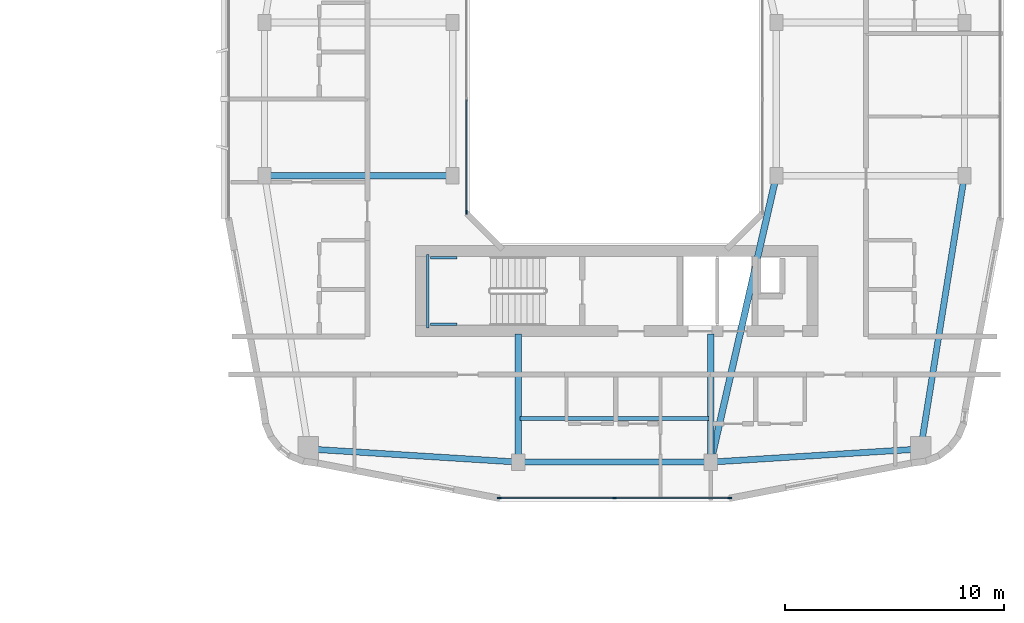
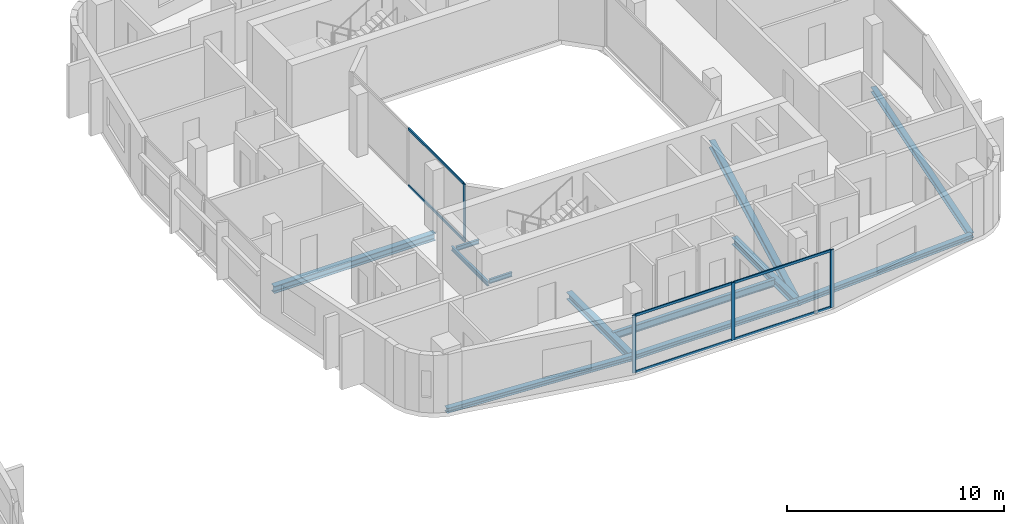
# One storey, part 8 of 25: 12 beams, 10 members, 2 elements without a shape of their own.
"""IFC4 building model written with IfcOpenShell, lengths in metres."""

from ifc_helpers import new_model, si_unit, derived_unit, direction, frame, origin, origin_2d, place, context, subcontext, project, spatial, rectangle, i_section, extrude, material, layer, layer_set, material_profile, profile_set, type_object, element, aggregate, save


model = new_model("IFC4")

# Units and contexts
model_context = context("Model", 3, precision=1e-05, world=origin(), true_north=direction((0.0, 1.0)))
body_context = subcontext(model_context, "Body", "Model", "MODEL_VIEW")
ifc_project = project(units=[si_unit("LENGTHUNIT", "METRE"), si_unit("AREAUNIT", "SQUARE_METRE"), si_unit("VOLUMEUNIT", "CUBIC_METRE"), si_unit("PLANEANGLEUNIT", "RADIAN"), si_unit("MASSUNIT", "GRAM", prefix="KILO"), derived_unit("THERMALTRANSMITTANCEUNIT", [(si_unit("POWERUNIT", "WATT"), 1), (si_unit("LENGTHUNIT", "METRE"), -2), (si_unit("THERMODYNAMICTEMPERATUREUNIT", "KELVIN"), -1)])], contexts=[model_context])

# Site, building, storey
site_placement = place(None, origin())
site = spatial("IfcSite", under=ifc_project, at=site_placement, CompositionType="ELEMENT")
building_placement = place(site_placement, origin())
building = spatial("IfcBuilding", under=site, at=building_placement, Name="Kivonza Crest Hotel", CompositionType="ELEMENT")
storey_placement = place(building_placement, frame((0.0, 0.0, 83.5)))
storey = spatial("IfcBuildingStorey", under=building, at=storey_placement, Name="L22", CompositionType="ELEMENT", Elevation=83.5)

# Beams
ifc_material_1 = material(Name="Steel S355", Category="steel")
ifc_material_profile_1 = material_profile(ifc_material_1, i_section(OverallWidth=0.280029296875, OverallDepth=0.280029296875, WebThickness=0.010498046875, FlangeThickness=0.01806640625, FilletRadius=0.02392578125, at=origin_2d()), Name="HEB 280")
ifc_profile_set_1 = profile_set([ifc_material_profile_1], Name="Steel S355")
beam_type_1 = type_object("IfcBeamType", Name="BM-HEB280", PredefinedType="SPANDREL", material=ifc_profile_set_1)
beam_1_placement = place(storey_placement, frame((72.60009765625, 8.39990234375, -0.389892578125), z_axis=(1.0, 0.0, 0.0), x_axis=(0.0, 1.0, 0.0)))
element("IfcBeam", 1, at=beam_1_placement, inside=storey, type_object=beam_type_1, Name="Companion Tower T2 L22 perimeter spandrel S1-S2", PredefinedType="SPANDREL", context=body_context, shape_type="SweptSolid", body=[
    extrude(i_section(OverallWidth=0.280029296875, OverallDepth=0.280029296875, WebThickness=0.010498046875, FlangeThickness=0.01806640625, FilletRadius=0.02392578125, at=origin_2d()), origin(), (0.0, 0.0, 1.0), 8.7998046875),
])
beam_2_placement = place(storey_placement, frame((81.39990234375, 8.39990234375, -0.389892578125), z_axis=(0.998051985873, 0.062387767186, 0.0), x_axis=(-0.062387767186, 0.998051985873, 0.0)))
element("IfcBeam", 2, at=beam_2_placement, inside=storey, type_object=beam_type_1, Name="Companion Tower T2 L22 perimeter spandrel S2-SE", PredefinedType="SPANDREL", context=body_context, shape_type="SweptSolid", body=[
    extrude(i_section(OverallWidth=0.280029296875, OverallDepth=0.280029296875, WebThickness=0.010498046875, FlangeThickness=0.01806640625, FilletRadius=0.02392578125, at=origin_2d()), origin(), (0.0, 0.0, 1.0), 9.618896484375),
])
beam_3_placement = place(storey_placement, frame((91.0, 9.0, -0.389892578125), z_axis=(0.157990501107, 0.987440631917, 0.0), x_axis=(-0.987440631917, 0.157990501107, 0.0)))
element("IfcBeam", 3, at=beam_3_placement, inside=storey, type_object=beam_type_1, Name="Companion Tower T2 L22 perimeter spandrel SE-E1", PredefinedType="SPANDREL", context=body_context, shape_type="SweptSolid", body=[
    extrude(i_section(OverallWidth=0.280029296875, OverallDepth=0.280029296875, WebThickness=0.010498046875, FlangeThickness=0.01806640625, FilletRadius=0.02392578125, at=origin_2d()), origin(), (0.0, 0.0, 1.0), 12.658935546875),
])
beam_4_placement = place(storey_placement, frame((63.0, 9.0, -0.389892578125), z_axis=(0.998051985873, -0.062387767186, 0.0), x_axis=(0.062387767186, 0.998051985873, 0.0)))
element("IfcBeam", 4, at=beam_4_placement, inside=storey, type_object=beam_type_1, Name="Companion Tower T2 L22 perimeter spandrel SW-S1", PredefinedType="SPANDREL", context=body_context, shape_type="SweptSolid", body=[
    extrude(i_section(OverallWidth=0.280029296875, OverallDepth=0.280029296875, WebThickness=0.010498046875, FlangeThickness=0.01806640625, FilletRadius=0.02392578125, at=origin_2d()), origin(), (0.0, 0.0, 1.0), 9.618896484375),
])
ifc_material_profile_2 = material_profile(ifc_material_1, i_section(OverallWidth=0.300048828125, OverallDepth=0.39990234375, WebThickness=0.013427734375, FlangeThickness=0.02392578125, FilletRadius=0.027099609375, at=origin_2d()), Name="HEB 400")
ifc_profile_set_2 = profile_set([ifc_material_profile_2], Name="Steel S355")
beam_type_2 = type_object("IfcBeamType", Name="BM-HEB400", PredefinedType="BEAM", material=ifc_profile_set_2)
beam_5_placement = place(storey_placement, frame((61.0, 21.5, -0.449951171875), z_axis=(1.0, 0.0, 0.0), x_axis=(0.0, 1.0, 0.0)))
element("IfcBeam", 5, at=beam_5_placement, inside=storey, type_object=beam_type_2, Name="Companion Tower T2 L22 girder W1-WL1", PredefinedType="BEAM", context=body_context, shape_type="SweptSolid", body=[
    extrude(i_section(OverallWidth=0.300048828125, OverallDepth=0.39990234375, WebThickness=0.013427734375, FlangeThickness=0.02392578125, FilletRadius=0.027099609375, at=origin_2d()), origin(), (0.0, 0.0, 1.0), 8.60009765625),
])
beam_6_placement = place(storey_placement, frame((84.39990234375, 21.5, -0.449951171875), z_axis=(-0.223227287589, -0.974766422317, 0.0), x_axis=(0.974766422317, -0.223227287589, 0.0)))
element("IfcBeam", 6, at=beam_6_placement, inside=storey, type_object=beam_type_2, Name="Companion Tower T2 L22 girder WR1-S2", PredefinedType="BEAM", context=body_context, shape_type="SweptSolid", body=[
    extrude(i_section(OverallWidth=0.300048828125, OverallDepth=0.39990234375, WebThickness=0.013427734375, FlangeThickness=0.02392578125, FilletRadius=0.027099609375, at=origin_2d()), origin(), (0.0, 0.0, 1.0), 13.439208984375),
])
for number, where, z_axis, x_axis, name in (
    (7, (72.60009765625, 8.39990234375, -0.449951171875), (0.0, 1.0, 0.0), (-1.0, 0.0, 0.0), "Companion T2 L22 radial core girder RS1"),
    (8, (81.39990234375, 8.39990234375, -0.449951171875), (0.0, 1.0, 0.0), (-1.0, 0.0, 0.0), "Companion T2 L22 radial core girder RS2"),
):
    element("IfcBeam", number, at=place(storey_placement, frame(where, z_axis=z_axis, x_axis=x_axis)), inside=storey, type_object=beam_type_2, Name=name, PredefinedType="BEAM", context=body_context, shape_type="SweptSolid", body=[
        extrude(i_section(OverallWidth=0.300048828125, OverallDepth=0.39990234375, WebThickness=0.013427734375, FlangeThickness=0.02392578125, FilletRadius=0.027099609375, at=origin_2d()), origin(), (0.0, 0.0, 1.0), 5.85009765625),
    ])
ifc_material_profile_3 = material_profile(ifc_material_1, i_section(OverallWidth=0.179931640625, OverallDepth=0.39990234375, WebThickness=0.008544921875, FlangeThickness=0.013427734375, FilletRadius=0.02099609375, at=origin_2d()), Name="IPE 400")
ifc_profile_set_3 = profile_set([ifc_material_profile_3], Name="Steel S355")
beam_type_3 = type_object("IfcBeamType", Name="BM-IPE400", PredefinedType="JOIST", material=ifc_profile_set_3)
beam_7_placement = place(storey_placement, frame((72.679931640625, 10.39990234375, -0.449951171875), z_axis=(1.0, 0.0, 0.0), x_axis=(0.0, 1.0, 0.0)))
element("IfcBeam", 9, at=beam_7_placement, inside=storey, type_object=beam_type_3, Name="Companion Tower T2 L22 South floor joist", PredefinedType="JOIST", context=body_context, shape_type="SweptSolid", body=[
    extrude(i_section(OverallWidth=0.179931640625, OverallDepth=0.39990234375, WebThickness=0.008544921875, FlangeThickness=0.013427734375, FilletRadius=0.02099609375, at=origin_2d()), origin(), (0.0, 0.0, 1.0), 8.64013671875),
])
ifc_material_profile_4 = material_profile(ifc_material_1, i_section(OverallWidth=0.1201171875, OverallDepth=0.239990234375, WebThickness=0.006103515625, FlangeThickness=0.009765625, FilletRadius=0.014892578125, at=origin_2d()), Name="IPE 240")
ifc_profile_set_4 = profile_set([ifc_material_profile_4], Name="Steel S355")
beam_type_4 = type_object("IfcBeamType", Name="BM-LLDG-240", PredefinedType="BEAM", material=ifc_profile_set_4)
beam_8_placement = place(storey_placement, frame((68.4599609375, 14.5400390625, 1.429931640625), z_axis=(0.0, 1.0, 0.0), x_axis=(-1.0, 0.0, 0.0)))
element("IfcBeam", 10, at=beam_8_placement, inside=storey, type_object=beam_type_4, Name="Stair ST-T2-S L22 West landing corbel", PredefinedType="BEAM", context=body_context, shape_type="SweptSolid", body=[
    extrude(i_section(OverallWidth=0.1201171875, OverallDepth=0.239990234375, WebThickness=0.006103515625, FlangeThickness=0.009765625, FilletRadius=0.014892578125, at=origin_2d()), origin(), (0.0, 0.0, 1.0), 3.35986328125),
])
for number, where, z_axis, x_axis, name in (
    (11, (68.590087890625, 14.699951171875, 1.429931640625), (1.0, 0.0, 0.0), (0.0, 1.0, 0.0), "Stair ST-T2-S L22 South landing corbel"),
    (12, (68.590087890625, 17.739990234375, 1.429931640625), (1.0, 0.0, 0.0), (0.0, 1.0, 0.0), "Stair ST-T2-S L22 North landing corbel"),
):
    element("IfcBeam", number, at=place(storey_placement, frame(where, z_axis=z_axis, x_axis=x_axis)), inside=storey, type_object=beam_type_4, Name=name, PredefinedType="BEAM", context=body_context, shape_type="SweptSolid", body=[
        extrude(i_section(OverallWidth=0.1201171875, OverallDepth=0.239990234375, WebThickness=0.006103515625, FlangeThickness=0.009765625, FilletRadius=0.014892578125, at=origin_2d()), origin(), (0.0, 0.0, 1.0), 1.2099609375),
    ])

# Curtain wall, members
ifc_material_2 = material(Name="Anodised bronze aluminium and low-E double glazing", Category="aluminium")
ifc_layer_1 = layer(ifc_material_2, 0.179931640625)
ifc_layer_set_1 = layer_set([ifc_layer_1], Name="Anodised bronze aluminium and low-E double glazing")
curtain_wall_type_1 = type_object("IfcCurtainWallType", Name="CW-SYS-4", PredefinedType="NOTDEFINED", material=ifc_layer_set_1)
curtain_wall_1_placement = place(storey_placement, origin())
curtain_wall_1 = element("IfcCurtainWall", 13, at=curtain_wall_1_placement, inside=storey, type_object=curtain_wall_type_1, Name="L22 unitised curtain wall CW-T2-L22-08", PredefinedType="NOTDEFINED")
ifc_material_3 = material(Name="Anodised bronze aluminium", Category="aluminium")
ifc_material_profile_5 = material_profile(ifc_material_3, rectangle(XDim=0.06494140625, YDim=0.179931640625, at=origin_2d()), Name="CW-M 65x180")
ifc_profile_set_5 = profile_set([ifc_material_profile_5], Name="Anodised bronze aluminium")
member_type_1 = type_object("IfcMemberType", Name="CW-MUL-65x180", PredefinedType="MULLION", material=ifc_profile_set_5)
member_1_placement = place(storey_placement, frame((71.732421875, 6.760009765625, 0.0), z_axis=(0.0, 0.0, 1.0), x_axis=(0.0, 1.0, 0.0)))
member_1 = element("IfcMember", 14, at=member_1_placement, type_object=member_type_1, Name="CW-4 mullion 1", PredefinedType="MULLION", context=body_context, shape_type="SweptSolid", body=[
    extrude(rectangle(XDim=0.06494140625, YDim=0.179931640625, at=origin_2d()), origin(), (0.0, 0.0, 1.0), 3.25),
])
member_2_placement = place(storey_placement, frame((77.0, 6.760009765625, 0.0), z_axis=(0.0, 0.0, 1.0), x_axis=(0.0, 1.0, 0.0)))
member_2 = element("IfcMember", 15, at=member_2_placement, type_object=member_type_1, Name="CW-4 mullion 2", PredefinedType="MULLION", context=body_context, shape_type="SweptSolid", body=[
    extrude(rectangle(XDim=0.06494140625, YDim=0.179931640625, at=origin_2d()), origin(), (0.0, 0.0, 1.0), 3.25),
])
member_3_placement = place(storey_placement, frame((82.267578125, 6.760009765625, 0.0), z_axis=(0.0, 0.0, 1.0), x_axis=(0.0, 1.0, 0.0)))
member_3 = element("IfcMember", 16, at=member_3_placement, type_object=member_type_1, Name="CW-4 mullion 3", PredefinedType="MULLION", context=body_context, shape_type="SweptSolid", body=[
    extrude(rectangle(XDim=0.06494140625, YDim=0.179931640625, at=origin_2d()), origin(), (0.0, 0.0, 1.0), 3.25),
])

# Curtain wall, member
ifc_layer_2 = layer(ifc_material_2, 0.159912109375)
ifc_layer_set_2 = layer_set([ifc_layer_2], Name="Anodised bronze aluminium and low-E double glazing")
curtain_wall_type_2 = type_object("IfcCurtainWallType", Name="CW-SYS-5", PredefinedType="NOTDEFINED", material=ifc_layer_set_2)
curtain_wall_2_placement = place(storey_placement, origin())
curtain_wall_2 = element("IfcCurtainWall", 17, at=curtain_wall_2_placement, inside=storey, type_object=curtain_wall_type_2, Name="L22 unitised curtain wall CW-WELL-T2-L22-7", PredefinedType="NOTDEFINED")
member_4_placement = place(storey_placement, frame((70.239990234375, 19.83251953125, 0.0), z_axis=(0.0, 0.0, 1.0), x_axis=(1.0, 0.0, 0.0)))
member_4 = element("IfcMember", 18, at=member_4_placement, type_object=member_type_1, Name="CW-5 mullion 3", PredefinedType="MULLION", context=body_context, shape_type="SweptSolid", body=[
    extrude(rectangle(XDim=0.06494140625, YDim=0.179931640625, at=origin_2d()), origin(), (0.0, 0.0, 1.0), 3.25),
])

# Member
ifc_material_profile_6 = material_profile(ifc_material_3, rectangle(XDim=0.06494140625, YDim=0.139892578125, at=origin_2d()), Name="CW-T 65x140")
ifc_profile_set_6 = profile_set([ifc_material_profile_6], Name="Anodised bronze aluminium")
member_type_2 = type_object("IfcMemberType", Name="CW-TRN-65x140", PredefinedType="USERDEFINED", material=ifc_profile_set_6)
member_5_placement = place(storey_placement, frame((71.764892578125, 6.760009765625, 0.032470703125), z_axis=(1.0, 0.0, 0.0), x_axis=(0.0, 1.0, 0.0)))
member_5 = element("IfcMember", 19, at=member_5_placement, type_object=member_type_2, Name="CW-4 transom 1.1", ObjectType="TRANSOM", PredefinedType="USERDEFINED", context=body_context, shape_type="SweptSolid", body=[
    extrude(rectangle(XDim=0.06494140625, YDim=0.139892578125, at=origin_2d()), origin(), (0.0, 0.0, 1.0), 5.20263671875),
])

member_6_placement = place(storey_placement, frame((71.764892578125, 6.760009765625, 3.217529296875), z_axis=(1.0, 0.0, 0.0), x_axis=(0.0, 1.0, 0.0)))
member_6 = element("IfcMember", 20, at=member_6_placement, type_object=member_type_2, Name="CW-4 transom 1.2", ObjectType="TRANSOM", PredefinedType="USERDEFINED", context=body_context, shape_type="SweptSolid", body=[
    extrude(rectangle(XDim=0.06494140625, YDim=0.139892578125, at=origin_2d()), origin(), (0.0, 0.0, 1.0), 5.20263671875),
])

member_7_placement = place(storey_placement, frame((77.032470703125, 6.760009765625, 0.032470703125), z_axis=(1.0, 0.0, 0.0), x_axis=(0.0, 1.0, 0.0)))
member_7 = element("IfcMember", 21, at=member_7_placement, type_object=member_type_2, Name="CW-4 transom 2.1", ObjectType="TRANSOM", PredefinedType="USERDEFINED", context=body_context, shape_type="SweptSolid", body=[
    extrude(rectangle(XDim=0.06494140625, YDim=0.139892578125, at=origin_2d()), origin(), (0.0, 0.0, 1.0), 5.20263671875),
])

member_8_placement = place(storey_placement, frame((77.032470703125, 6.760009765625, 3.217529296875), z_axis=(1.0, 0.0, 0.0), x_axis=(0.0, 1.0, 0.0)))
member_8 = element("IfcMember", 22, at=member_8_placement, type_object=member_type_2, Name="CW-4 transom 2.2", ObjectType="TRANSOM", PredefinedType="USERDEFINED", context=body_context, shape_type="SweptSolid", body=[
    extrude(rectangle(XDim=0.06494140625, YDim=0.139892578125, at=origin_2d()), origin(), (0.0, 0.0, 1.0), 5.20263671875),
])

aggregate(curtain_wall_1, [member_1, member_2, member_3, member_5, member_6, member_7, member_8])

member_9_placement = place(storey_placement, frame((70.239990234375, 24.967529296875, 0.032470703125), z_axis=(0.0, -1.0, 0.0), x_axis=(1.0, 0.0, 0.0)))
member_9 = element("IfcMember", 23, at=member_9_placement, type_object=member_type_2, Name="CW-5 transom 2.1", ObjectType="TRANSOM", PredefinedType="USERDEFINED", context=body_context, shape_type="SweptSolid", body=[
    extrude(rectangle(XDim=0.06494140625, YDim=0.139892578125, at=origin_2d()), origin(), (0.0, 0.0, 1.0), 5.1025390625),
])

member_10_placement = place(storey_placement, frame((70.239990234375, 24.967529296875, 3.217529296875), z_axis=(0.0, -1.0, 0.0), x_axis=(1.0, 0.0, 0.0)))
member_10 = element("IfcMember", 24, at=member_10_placement, type_object=member_type_2, Name="CW-5 transom 2.2", ObjectType="TRANSOM", PredefinedType="USERDEFINED", context=body_context, shape_type="SweptSolid", body=[
    extrude(rectangle(XDim=0.06494140625, YDim=0.139892578125, at=origin_2d()), origin(), (0.0, 0.0, 1.0), 5.1025390625),
])

aggregate(curtain_wall_2, [member_4, member_9, member_10])

save(model, "model.ifc")
